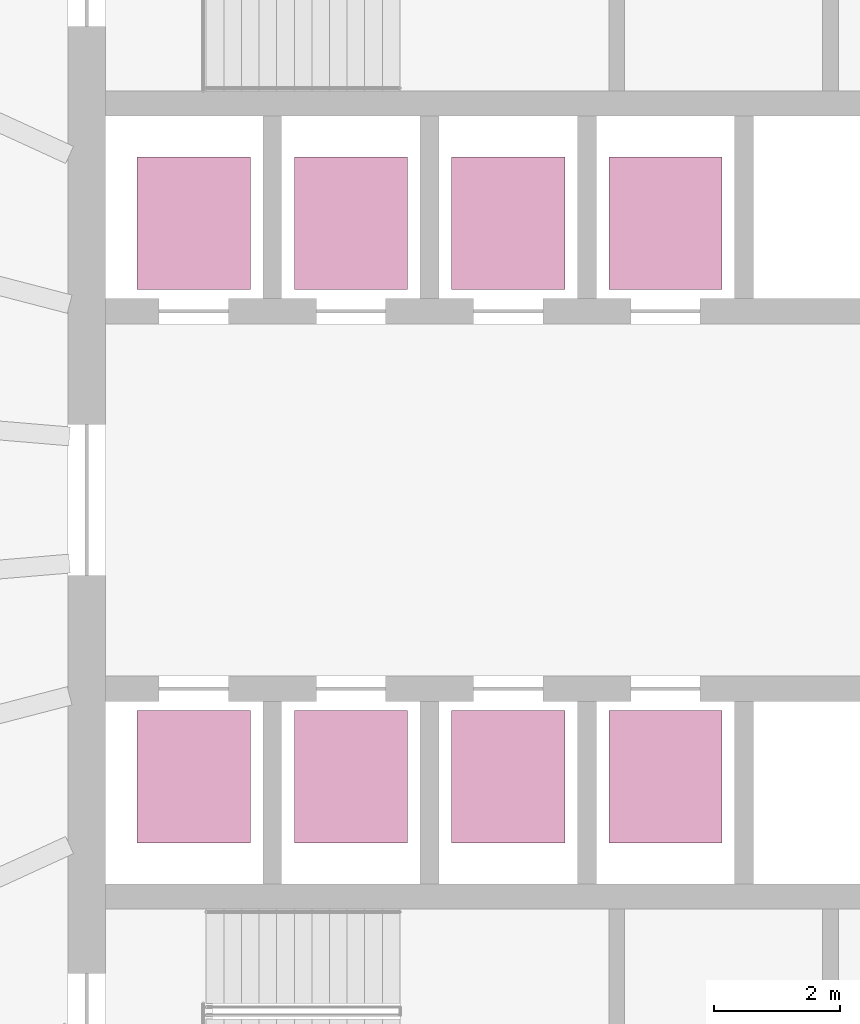
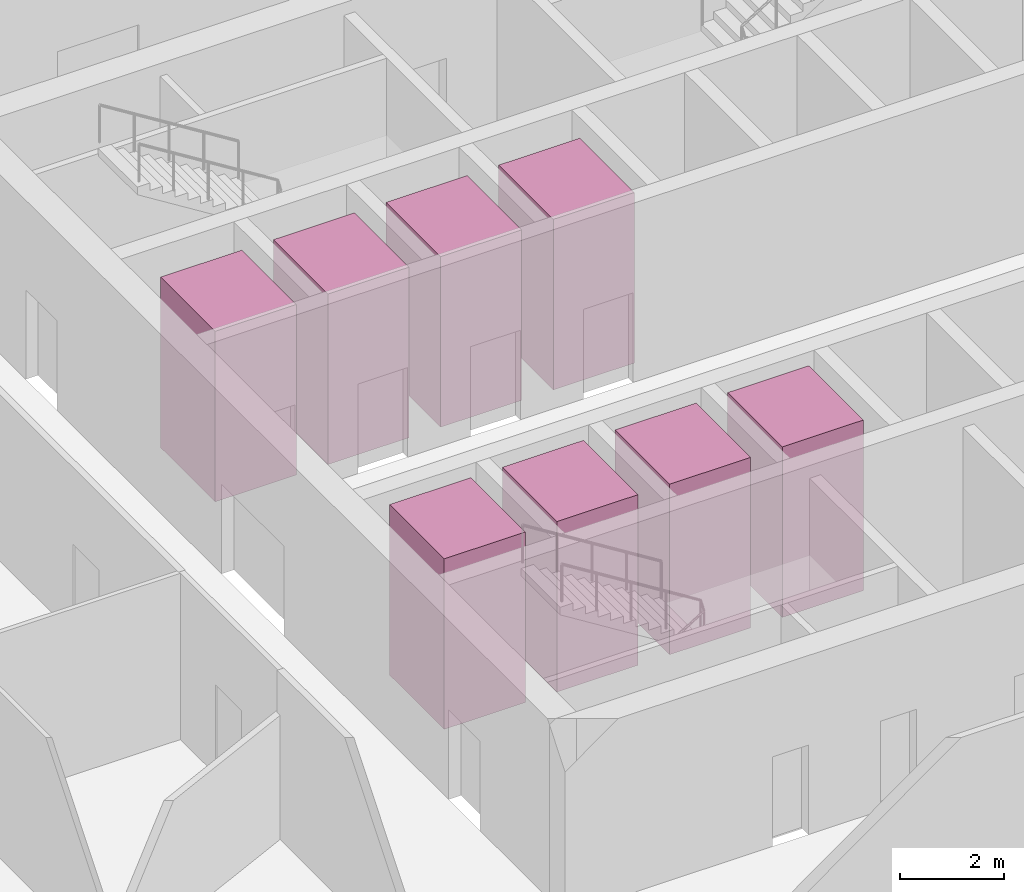
# One storey, part 10 of 10: 8 transport elements.
"""IFC4 building model written with IfcOpenShell, lengths in metres."""

from ifc_helpers import new_model, si_unit, direction, frame, origin, origin_2d, place, context, subcontext, project, spatial, rectangle, extrude, material, type_object, element, save


model = new_model("IFC4")

# Units and contexts
model_context = context("Model", 3, precision=1e-05, world=origin(), true_north=direction((0.0, 1.0)))
body_context = subcontext(model_context, "Body", "Model", "MODEL_VIEW")
ifc_project = project(units=[si_unit("LENGTHUNIT", "METRE"), si_unit("AREAUNIT", "SQUARE_METRE"), si_unit("VOLUMEUNIT", "CUBIC_METRE"), si_unit("PLANEANGLEUNIT", "RADIAN"), si_unit("MASSUNIT", "GRAM", prefix="KILO")], contexts=[model_context])

# Site, building, storey
site_placement = place(None, origin())
site = spatial("IfcSite", under=ifc_project, at=site_placement, CompositionType="ELEMENT")
building_placement = place(site_placement, origin())
building = spatial("IfcBuilding", under=site, at=building_placement, Name="Halqa Exchange Tower", CompositionType="ELEMENT")
storey_placement = place(building_placement, frame((0.0, 0.0, 138.10009765625)))
storey = spatial("IfcBuildingStorey", under=building, at=storey_placement, Name="L31", CompositionType="ELEMENT", Elevation=138.10009765625)

# Transport elements
ifc_material = material(Name="Stainless steel", Category="steel")
transport_element_type = type_object("IfcTransportElementType", Name="Low-rise passenger lift 1800 x 2100", PredefinedType="ELEVATOR", material=ifc_material)
for number, where, z_axis, x_axis, name in (
    (1, (-10.0, 4.39990234375, 0.0), (0.0, 0.0, 1.0), (1.0, 0.0, 0.0), "Low-rise passenger lift LR1"),
    (2, (-7.5, 4.39990234375, 0.0), (0.0, 0.0, 1.0), (1.0, 0.0, 0.0), "Low-rise passenger lift LR2"),
    (3, (-5.0, 4.39990234375, 0.0), (0.0, 0.0, 1.0), (1.0, 0.0, 0.0), "Low-rise passenger lift LR3"),
    (4, (-2.5, 4.39990234375, 0.0), (0.0, 0.0, 1.0), (1.0, 0.0, 0.0), "Low-rise passenger lift LR4"),
    (5, (-10.0, -4.39990234375, 0.0), (0.0, 0.0, 1.0), (1.0, 0.0, 0.0), "Low-rise passenger lift LR5"),
    (6, (-7.5, -4.39990234375, 0.0), (0.0, 0.0, 1.0), (1.0, 0.0, 0.0), "Low-rise passenger lift LR6"),
    (7, (-5.0, -4.39990234375, 0.0), (0.0, 0.0, 1.0), (1.0, 0.0, 0.0), "Low-rise passenger lift LR7"),
    (8, (-2.5, -4.39990234375, 0.0), (0.0, 0.0, 1.0), (1.0, 0.0, 0.0), "Low-rise passenger lift LR8"),
):
    element("IfcTransportElement", number, at=place(storey_placement, frame(where, z_axis=z_axis, x_axis=x_axis)), inside=storey, type_object=transport_element_type, Name=name, PredefinedType="ELEVATOR", context=body_context, shape_type="SweptSolid", body=[
        extrude(rectangle(XDim=1.800048828125, YDim=2.10009765625, at=origin_2d()), origin(), (0.0, 0.0, 1.0), 4.0),
    ])

save(model, "model.ifc")
